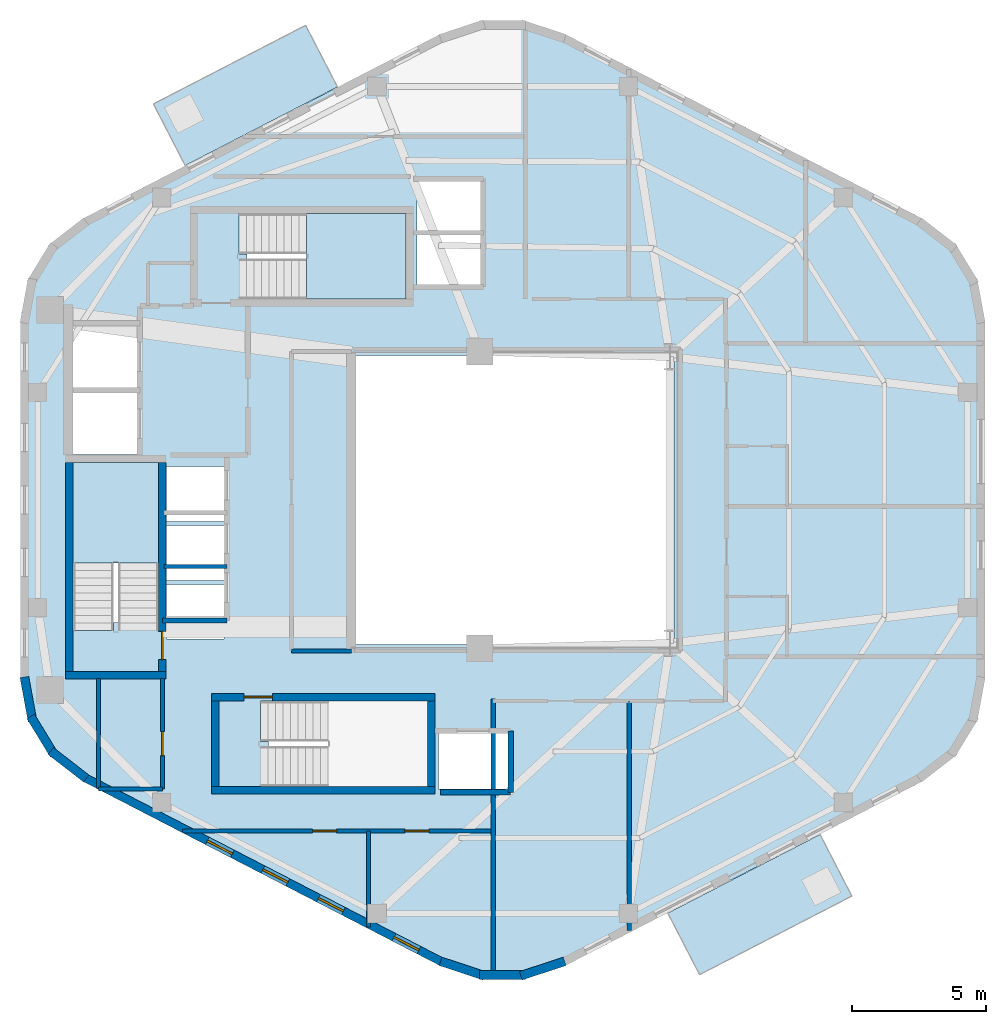
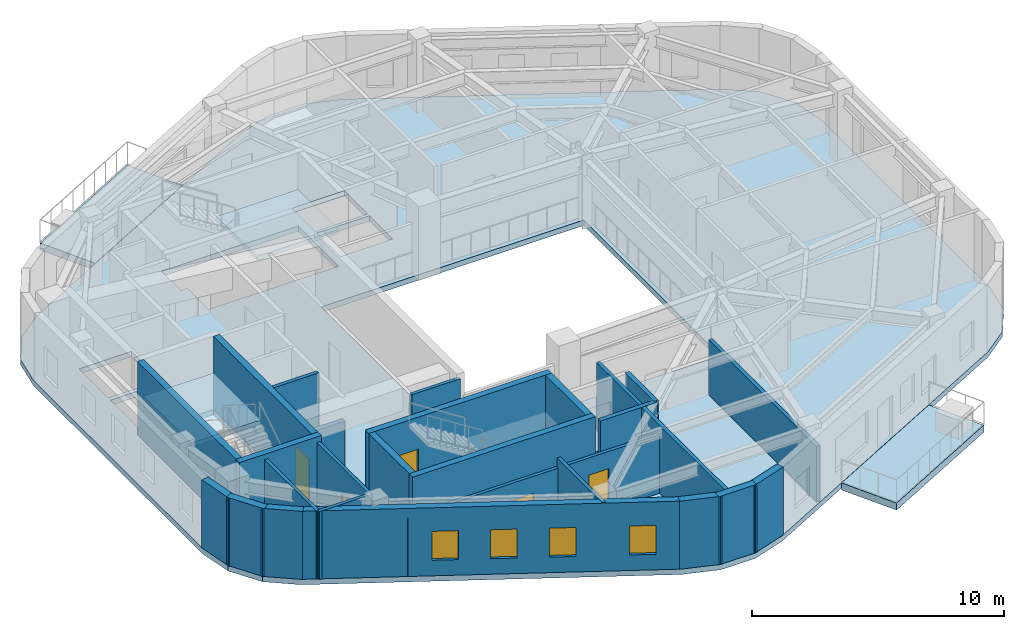
# One storey, part 2 of 7: 26 walls, 5 doors, 5 slabs, 4 windows, 9 openings, 2 elements without a shape of their own.
"""IFC4 building model written with IfcOpenShell, lengths in metres."""

from ifc_helpers import new_model, si_unit, direction, frame, frame_2d, origin, place, context, subcontext, project, spatial, polyline, rectangle, outline, extrude, material, layer, layer_set, type_object, element, fill, aggregate, save


model = new_model("IFC4")

# Units and contexts
model_context = context("Model", 3, precision=1e-05, world=origin(), true_north=direction((0.0, 1.0)))
body_context = subcontext(model_context, "Body", "Model", "MODEL_VIEW")
ifc_project = project(units=[si_unit("LENGTHUNIT", "METRE"), si_unit("AREAUNIT", "SQUARE_METRE"), si_unit("VOLUMEUNIT", "CUBIC_METRE"), si_unit("PLANEANGLEUNIT", "RADIAN"), si_unit("MASSUNIT", "GRAM", prefix="KILO"), si_unit("THERMODYNAMICTEMPERATUREUNIT", "KELVIN"), si_unit("POWERUNIT", "WATT")], contexts=[model_context])

# Site, building, storey
site_placement = place(None, origin())
site = spatial("IfcSite", under=ifc_project, at=site_placement, CompositionType="ELEMENT")
building_placement = place(site_placement, origin())
building = spatial("IfcBuilding", under=site, at=building_placement, Name="Skarre Station Tower", CompositionType="ELEMENT")
storey_placement = place(building_placement, frame((0.0, 0.0, 249.0)))
storey = spatial("IfcBuildingStorey", under=building, at=storey_placement, Name="L68", CompositionType="ELEMENT", Elevation=249.0)

# Slabs
ifc_material_1 = material(Name="Precast concrete C50/60", Category="concrete")
ifc_layer_1 = layer(ifc_material_1, 0.340087890625, Name="Precast concrete C50/60")
ifc_layer_set_1 = layer_set([ifc_layer_1], Name="Precast concrete C50/60")
slab_type_1 = type_object("IfcSlabType", Name="Planted Tree-Balcony Cantilever Slab 340", PredefinedType="FLOOR", material=ifc_layer_set_1)
slab_1_placement = place(storey_placement, frame((0.0, 0.0, -0.340087890625)))
element("IfcSlab", 1, at=slab_1_placement, inside=storey, type_object=slab_type_1, Name="L68 Planted Tree-Balcony Deck TB-L68-F1", PredefinedType="FLOOR", context=body_context, shape_type="SweptSolid", body=[
    extrude(outline(polyline([(27.031982421875, 39.427001953125), (21.344970703125, 36.490966796875), (20.156982421875, 38.7919921875), (25.843994140625, 41.72802734375), (27.031982421875, 39.427001953125)])), origin(), (0.0, 0.0, 1.0), 0.340087890625),
])
slab_2_placement = place(storey_placement, frame((0.0, 0.0, -0.340087890625)))
element("IfcSlab", 2, at=slab_2_placement, inside=storey, type_object=slab_type_1, Name="L68 Planted Tree-Balcony Deck TB-L68-F4", PredefinedType="FLOOR", context=body_context, shape_type="SweptSolid", body=[
    extrude(outline(polyline([(39.367919921875, 8.572998046875), (45.054931640625, 11.509033203125), (46.242919921875, 9.2080078125), (40.555908203125, 6.27197265625), (39.367919921875, 8.572998046875)])), origin(), (0.0, 0.0, 1.0), 0.340087890625),
])

# Stair, slab
ifc_material_2 = material(Name="Concrete C40/50", Category="concrete")
stair_type_1 = type_object("IfcStairType", Name="Reinforced Concrete Exit Stair ST-1", PredefinedType="HALF_TURN_STAIR", material=ifc_material_2)
stair_1_placement = place(storey_placement, origin())
stair_1 = element("IfcStair", 3, at=stair_1_placement, inside=storey, type_object=stair_type_1, Name="L68 Core Exit Stair ST-1", PredefinedType="HALF_TURN_STAIR")
ifc_layer_2 = layer(ifc_material_2, 0.219970703125, Name="Concrete C40/50")
ifc_layer_set_2 = layer_set([ifc_layer_2], Name="Concrete C40/50")
slab_type_2 = type_object("IfcSlabType", Name="Reinforced Concrete Stair & Ramp Landing 220", PredefinedType="LANDING", material=ifc_layer_set_2)
slab_3_placement = place(storey_placement, frame((0.0, 0.0, 1.574951171875)))
slab_3 = element("IfcSlab", 4, at=slab_3_placement, type_object=slab_type_2, Name="ST-1 landing 1", PredefinedType="LANDING", context=body_context, shape_type="SweptSolid", body=[
    extrude(outline(polyline([(20.35009765625, 21.639892578125), (20.35009765625, 25.39990234375), (17.14990234375, 25.39990234375), (17.14990234375, 21.639892578125), (20.35009765625, 21.639892578125)])), origin(), (0.0, 0.0, 1.0), 0.199951171875),
])
aggregate(stair_1, [slab_3])

stair_type_2 = type_object("IfcStairType", Name="Reinforced Concrete Exit Stair ST-3", PredefinedType="HALF_TURN_STAIR", material=ifc_material_2)
stair_2_placement = place(storey_placement, origin())
stair_2 = element("IfcStair", 5, at=stair_2_placement, inside=storey, type_object=stair_type_2, Name="L68 Core Exit Stair ST-3", PredefinedType="HALF_TURN_STAIR")
slab_4_placement = place(storey_placement, frame((0.0, 0.0, 1.574951171875)))
slab_4 = element("IfcSlab", 6, at=slab_4_placement, type_object=slab_type_2, Name="ST-3 landing 1", PredefinedType="LANDING", context=body_context, shape_type="SweptSolid", body=[
    extrude(outline(polyline([(25.8701171875, 31.5), (29.60009765625, 31.5), (29.60009765625, 34.699951171875), (25.8701171875, 34.699951171875), (25.8701171875, 31.5)])), origin(), (0.0, 0.0, 1.0), 0.199951171875),
])
aggregate(stair_2, [slab_4])

# Slab
ifc_material_3 = material(Name="Concrete C50/60", Category="concrete")
ifc_layer_3 = layer(ifc_material_3, 0.260009765625, Name="Concrete C50/60")
ifc_layer_set_3 = layer_set([ifc_layer_3], Name="Concrete C50/60")
slab_type_3 = type_object("IfcSlabType", Name="Tower Typical Composite Floor Slab 260", PredefinedType="FLOOR", material=ifc_layer_set_3)
slab_5_placement = place(storey_placement, frame((0.0, 0.0, -0.260009765625)))
element("IfcSlab", 7, at=slab_5_placement, inside=storey, type_object=slab_type_3, Name="L68 Zone 4 Structural Floor Slab", PredefinedType="FLOOR", context=body_context, shape_type="SweptSolid", body=[
    extrude(outline(polyline([(51.212890625, 30.701904296875), (50.93310546875, 32.222900390625), (50.1279296875, 33.544921875), (48.905029296875, 34.491943359375), (35.508056640625, 41.407958984375), (33.99609375, 41.906005859375), (32.404052734375, 41.906005859375), (30.89208984375, 41.407958984375), (17.4951171875, 34.491943359375), (16.27197265625, 33.544921875), (15.467041015625, 32.222900390625), (15.18701171875, 30.701904296875), (15.18701171875, 17.298095703125), (15.467041015625, 15.777099609375), (16.27197265625, 14.455078125), (17.4951171875, 13.508056640625), (30.89208984375, 6.592041015625), (32.404052734375, 6.093994140625), (33.99609375, 6.093994140625), (35.508056640625, 6.592041015625), (48.905029296875, 13.508056640625), (50.1279296875, 14.455078125), (50.93310546875, 15.777099609375), (51.212890625, 17.298095703125), (51.212890625, 30.701904296875)]), holes=[polyline([(18.669921875, 19.419921875), (18.669921875, 19.123046875), (17.14990234375, 19.123046875), (17.14990234375, 25.39990234375), (20.35009765625, 25.39990234375), (20.35009765625, 19.419921875), (18.669921875, 19.419921875)]), polyline([(24.449951171875, 14.97998046875), (24.153076171875, 14.97998046875), (24.153076171875, 16.5), (30.39990234375, 16.5), (30.39990234375, 13.300048828125), (24.449951171875, 13.300048828125), (24.449951171875, 14.97998046875)]), polyline([(23.64990234375, 33.179931640625), (23.35302734375, 33.179931640625), (23.35302734375, 34.699951171875), (29.60009765625, 34.699951171875), (29.60009765625, 31.5), (23.64990234375, 31.5), (23.64990234375, 33.179931640625)]), polyline([(17.14990234375, 28.0), (19.550048828125, 28.0), (19.550048828125, 25.699951171875), (17.14990234375, 25.699951171875), (17.14990234375, 28.0)]), polyline([(17.14990234375, 30.5), (19.550048828125, 30.5), (19.550048828125, 28.199951171875), (17.14990234375, 28.199951171875), (17.14990234375, 30.5)]), polyline([(30.800048828125, 15.300048828125), (33.39990234375, 15.300048828125), (33.39990234375, 13.199951171875), (30.800048828125, 13.199951171875), (30.800048828125, 15.300048828125)]), polyline([(20.64990234375, 20.85009765625), (22.800048828125, 20.85009765625), (22.800048828125, 18.800048828125), (20.64990234375, 18.800048828125), (20.64990234375, 20.85009765625)]), polyline([(20.64990234375, 23.050048828125), (22.800048828125, 23.050048828125), (22.800048828125, 21.0), (20.64990234375, 21.0), (20.64990234375, 23.050048828125)]), polyline([(20.64990234375, 25.25), (22.800048828125, 25.25), (22.800048828125, 23.199951171875), (20.64990234375, 23.199951171875), (20.64990234375, 25.25)]), polyline([(30.0, 33.89990234375), (32.39990234375, 33.89990234375), (32.39990234375, 32.050048828125), (30.0, 32.050048828125), (30.0, 33.89990234375)]), polyline([(30.0, 35.89990234375), (32.39990234375, 35.89990234375), (32.39990234375, 34.050048828125), (30.0, 34.050048828125), (30.0, 35.89990234375)]), polyline([(27.60009765625, 29.39990234375), (39.60009765625, 29.39990234375), (39.60009765625, 18.60009765625), (27.60009765625, 18.60009765625), (27.60009765625, 29.39990234375)])]), origin(), (0.0, 0.0, 1.0), 0.260009765625),
])

# Walls
ifc_material_4 = material(Name="Acoustic Steel-Stud Gypsum Partition", Category="steel")
ifc_layer_4 = layer(ifc_material_4, 0.14990234375, Name="Acoustic Steel-Stud Gypsum Partition")
ifc_layer_set_4 = layer_set([ifc_layer_4], Name="Acoustic Steel-Stud Gypsum Partition")
wall_type_1 = type_object("IfcWallType", Name="Fire-Rated Corridor Acoustic Partition 150", PredefinedType="PARTITIONING", material=ifc_layer_set_4)
wall_1_placement = place(storey_placement, frame((25.320068359375, 18.360107421875, 0.0), z_axis=(0.0, 0.0, 1.0), x_axis=(1.0, 0.0, 0.0)))
element("IfcWall", 8, at=wall_1_placement, inside=storey, type_object=wall_type_1, Name="L68 Interior Partition WL-PT-L68-RC2-S", PredefinedType="PARTITIONING", context=body_context, shape_type="SweptSolid", body=[
    extrude(rectangle(XDim=2.22998046875, YDim=0.14990234375, at=frame_2d((1.114990234375, 0.0))), origin(), (0.0, 0.0, 1.0), 3.2900390625),
])
wall_2_placement = place(storey_placement, frame((18.10009765625, 17.340087890625, 0.0), z_axis=(0.0, 0.0, 1.0), x_axis=(0.0, -1.0, 0.0)))
element("IfcWall", 9, at=wall_2_placement, inside=storey, type_object=wall_type_1, Name="L68 Interior Partition WL-PT-L68-CSVC-W", PredefinedType="PARTITIONING", context=body_context, shape_type="SweptSolid", body=[
    extrude(rectangle(XDim=4.133056640625, YDim=0.14990234375, at=frame_2d((2.06640625, 0.0))), origin(), (0.0, 0.0, 1.0), 3.2900390625),
])
wall_3_placement = place(storey_placement, frame((18.113037109375, 13.199951171875, 0.0), z_axis=(0.0, 0.0, 1.0), x_axis=(1.0, 0.0, 0.0)))
element("IfcWall", 10, at=wall_3_placement, inside=storey, type_object=wall_type_1, Name="L68 Interior Partition WL-PT-L68-CSVC-S", PredefinedType="PARTITIONING", context=body_context, shape_type="SweptSolid", body=[
    extrude(rectangle(XDim=2.376953125, YDim=0.14990234375, at=frame_2d((1.1884765625, 0.0))), origin(), (0.0, 0.0, 1.0), 3.2900390625),
])

# Wall, opening, door
wall_4_placement = place(storey_placement, frame((20.489990234375, 13.199951171875, 0.0), z_axis=(0.0, 0.0, 1.0), x_axis=(0.0, 1.0, 0.0)))
wall_4 = element("IfcWall", 11, at=wall_4_placement, inside=storey, type_object=wall_type_1, Name="L68 Interior Partition WL-PT-L68-CSVC-E", PredefinedType="PARTITIONING", context=body_context, shape_type="SweptSolid", body=[
    extrude(rectangle(XDim=4.14013671875, YDim=0.14990234375, at=frame_2d((2.070068359375, 0.0))), origin(), (0.0, 0.0, 1.0), 3.2900390625),
])
opening_1_placement = place(wall_4_placement, frame((1.25, 0.0, 0.0)))
opening_1 = element("IfcOpeningElement", 12, at=opening_1_placement, cuts=wall_4, Name="Opening DR-SVC90", PredefinedType="OPENING", context=body_context, shape_type="SweptSolid", body=[
    extrude(rectangle(XDim=0.89990234375, YDim=2.0, at=frame_2d((0.449951171875, 1.0))), frame((0.0, 0.0849609375, 0.0), z_axis=(0.0, -1.0, 0.0), x_axis=(1.0, 0.0, 0.0)), (0.0, 0.0, 1.0), 0.169921875),
])
ifc_material_5 = material(Name="Powder-Coated Hollow-Metal Acoustic Fire Leaf", Category="steel")
door_type_1 = type_object("IfcDoorType", Name="Service & Riser Fire Door FD60 900x2100", OperationType="SINGLE_SWING_LEFT", PredefinedType="DOOR", material=ifc_material_5)
door_1_placement = place(opening_1_placement, origin())
door_1 = element("IfcDoor", 13, at=door_1_placement, inside=storey, type_object=door_type_1, Name="L68 Core Pantry Door", OperationType="SINGLE_SWING_LEFT", OverallHeight=2.0, OverallWidth=0.89990234375, PredefinedType="DOOR", context=body_context, shape_type="SweptSolid", body=[
    extrude(rectangle(XDim=0.89990234375, YDim=2.0, at=frame_2d((0.449951171875, 1.0))), frame((0.0, 0.02490234375, 0.0), z_axis=(0.0, -1.0, 0.0), x_axis=(1.0, 0.0, 0.0)), (0.0, 0.0, 1.0), 0.050048828125),
])
fill(opening_1, door_1)

# Wall
wall_5_placement = place(storey_placement, frame((28.199951171875, 8.049072265625, 0.0), z_axis=(0.0, 0.0, 1.0), x_axis=(0.0, 1.0, 0.0)))
element("IfcWall", 14, at=wall_5_placement, inside=storey, type_object=wall_type_1, Name="L68 Interior Partition WL-PT-L68-SWP-M", PredefinedType="PARTITIONING", context=body_context, shape_type="SweptSolid", body=[
    extrude(rectangle(XDim=3.5908203125, YDim=0.14990234375, at=frame_2d((1.79541015625, 0.0))), origin(), (0.0, 0.0, 1.0), 3.2900390625),
])

# Wall, openings, doors
wall_6_placement = place(storey_placement, frame((21.243896484375, 11.639892578125, 0.0), z_axis=(0.0, 0.0, 1.0), x_axis=(1.0, 0.0, 0.0)))
wall_6 = element("IfcWall", 15, at=wall_6_placement, inside=storey, type_object=wall_type_1, Name="L68 Interior Partition WL-PT-L68-SWP-N", PredefinedType="PARTITIONING", context=body_context, shape_type="SweptSolid", body=[
    extrude(rectangle(XDim=11.606201171875, YDim=0.14990234375, at=frame_2d((5.80322265625, 0.0))), origin(), (0.0, 0.0, 1.0), 2.8330078125),
])
opening_2_placement = place(wall_6_placement, frame((4.85595703125, 0.0, 0.0)))
opening_2 = element("IfcOpeningElement", 16, at=opening_2_placement, cuts=wall_6, Name="Opening DR-SVC90", PredefinedType="OPENING", context=body_context, shape_type="SweptSolid", body=[
    extrude(rectangle(XDim=0.89990234375, YDim=2.0, at=frame_2d((0.449951171875, 1.0))), frame((0.0, 0.0849609375, 0.0), z_axis=(0.0, -1.0, 0.0), x_axis=(1.0, 0.0, 0.0)), (0.0, 0.0, 1.0), 0.169921875),
])
opening_3_placement = place(wall_6_placement, frame((8.305908203125, 0.0, 0.0)))
opening_3 = element("IfcOpeningElement", 17, at=opening_3_placement, cuts=wall_6, Name="Opening DR-SVC90", PredefinedType="OPENING", context=body_context, shape_type="SweptSolid", body=[
    extrude(rectangle(XDim=0.89990234375, YDim=2.0, at=frame_2d((0.449951171875, 1.0))), frame((0.0, 0.0849609375, 0.0), z_axis=(0.0, -1.0, 0.0), x_axis=(1.0, 0.0, 0.0)), (0.0, 0.0, 1.0), 0.169921875),
])
door_2_placement = place(opening_2_placement, origin())
door_2 = element("IfcDoor", 18, at=door_2_placement, inside=storey, type_object=door_type_1, Name="L68 Floor Public Toilets Door", OperationType="SINGLE_SWING_LEFT", OverallHeight=2.0, OverallWidth=0.89990234375, PredefinedType="DOOR", context=body_context, shape_type="SweptSolid", body=[
    extrude(rectangle(XDim=0.89990234375, YDim=2.0, at=frame_2d((0.449951171875, 1.0))), frame((0.0, 0.02490234375, 0.0), z_axis=(0.0, -1.0, 0.0), x_axis=(1.0, 0.0, 0.0)), (0.0, 0.0, 1.0), 0.050048828125),
])
fill(opening_2, door_2)
door_3_placement = place(opening_3_placement, origin())
door_3 = element("IfcDoor", 19, at=door_3_placement, inside=storey, type_object=door_type_1, Name="L68 South-West Study Door", OperationType="SINGLE_SWING_LEFT", OverallHeight=2.0, OverallWidth=0.89990234375, PredefinedType="DOOR", context=body_context, shape_type="SweptSolid", body=[
    extrude(rectangle(XDim=0.89990234375, YDim=2.0, at=frame_2d((0.449951171875, 1.0))), frame((0.0, 0.02490234375, 0.0), z_axis=(0.0, -1.0, 0.0), x_axis=(1.0, 0.0, 0.0)), (0.0, 0.0, 1.0), 0.050048828125),
])
fill(opening_3, door_3)

# Walls
ifc_material_6 = material(Name="Precast concrete C45/55", Category="concrete")
ifc_layer_5 = layer(ifc_material_6, 0.330078125, Name="Precast concrete C45/55")
ifc_layer_set_5 = layer_set([ifc_layer_5], Name="Precast concrete C45/55")
wall_type_2 = type_object("IfcWallType", Name="Nordic Rounded Corner Precast Wall 330", PredefinedType="STANDARD", material=ifc_layer_set_5)
wall_7_placement = place(storey_placement, frame((17.64697265625, 13.59912109375, 0.0), z_axis=(0.0, 0.0, 1.0), x_axis=(-0.790691856293, 0.61221433207, 0.0)))
element("IfcWall", 20, at=wall_7_placement, inside=storey, type_object=wall_type_2, Name="L68 Rounded Corner Precast Wall F3-1", PredefinedType="STANDARD", context=body_context, shape_type="SweptSolid", body=[
    extrude(rectangle(XDim=1.67578125, YDim=0.330078125, at=frame_2d((0.837890625, 0.0))), origin(), (0.0, 0.0, 1.0), 3.2900390625),
])
wall_8_placement = place(storey_placement, frame((16.447021484375, 14.485107421875, 0.0), z_axis=(0.0, 0.0, 1.0), x_axis=(-0.520325409202, 0.853968072318, 0.0)))
element("IfcWall", 21, at=wall_8_placement, inside=storey, type_object=wall_type_2, Name="L68 Rounded Corner Precast Wall F3-2", PredefinedType="STANDARD", context=body_context, shape_type="SweptSolid", body=[
    extrude(rectangle(XDim=1.677978515625, YDim=0.330078125, at=frame_2d((0.8388671875, 0.0))), origin(), (0.0, 0.0, 1.0), 3.2900390625),
])
wall_9_placement = place(storey_placement, frame((15.64111328125, 15.742919921875, 0.0), z_axis=(0.0, 0.0, 1.0), x_axis=(-0.180832605401, 0.983513888475, 0.0)))
element("IfcWall", 22, at=wall_9_placement, inside=storey, type_object=wall_type_2, Name="L68 Rounded Corner Precast Wall F3-3", PredefinedType="STANDARD", context=body_context, shape_type="SweptSolid", body=[
    extrude(rectangle(XDim=1.6767578125, YDim=0.330078125, at=frame_2d((0.83837890625, 0.0))), origin(), (0.0, 0.0, 1.0), 3.2900390625),
])
wall_10_placement = place(storey_placement, frame((35.51806640625, 6.76904296875, 0.0), z_axis=(0.0, 0.0, 1.0), x_axis=(-0.949713440491, -0.313120393699, 0.0)))
element("IfcWall", 23, at=wall_10_placement, inside=storey, type_object=wall_type_2, Name="L68 Rounded Corner Precast Wall F4-1", PredefinedType="STANDARD", context=body_context, shape_type="SweptSolid", body=[
    extrude(rectangle(XDim=1.7216796875, YDim=0.330078125, at=frame_2d((0.86083984375, 0.0))), origin(), (0.0, 0.0, 1.0), 3.2900390625),
])
wall_11_placement = place(storey_placement, frame((34.06103515625, 6.259033203125, 0.0), z_axis=(0.0, 0.0, 1.0), x_axis=(-1.0, 0.0, 0.0)))
element("IfcWall", 24, at=wall_11_placement, inside=storey, type_object=wall_type_2, Name="L68 Rounded Corner Precast Wall F4-2", PredefinedType="STANDARD", context=body_context, shape_type="SweptSolid", body=[
    extrude(rectangle(XDim=1.721923828125, YDim=0.330078125, at=frame_2d((0.86083984375, 0.0))), origin(), (0.0, 0.0, 1.0), 3.2900390625),
])
wall_12_placement = place(storey_placement, frame((32.51708984375, 6.22998046875, 0.0), z_axis=(0.0, 0.0, 1.0), x_axis=(-0.949713440491, 0.313120393699, 0.0)))
element("IfcWall", 25, at=wall_12_placement, inside=storey, type_object=wall_type_2, Name="L68 Rounded Corner Precast Wall F4-3", PredefinedType="STANDARD", context=body_context, shape_type="SweptSolid", body=[
    extrude(rectangle(XDim=1.7216796875, YDim=0.330078125, at=frame_2d((0.86083984375, 0.0))), origin(), (0.0, 0.0, 1.0), 3.2900390625),
])

# Wall, openings, windows
ifc_layer_6 = layer(ifc_material_6, 0.31005859375, Name="Precast concrete C45/55")
ifc_layer_set_6 = layer_set([ifc_layer_6], Name="Precast concrete C45/55")
wall_type_3 = type_object("IfcWallType", Name="Nordic Upper-Zone Precast Facet Wall 310", PredefinedType="STANDARD", material=ifc_layer_set_6)
wall_13_placement = place(storey_placement, frame((30.962890625, 6.72998046875, 0.0), z_axis=(0.0, 0.0, 1.0), x_axis=(-0.888581481622, 0.458718814218, 0.0)))
wall_13 = element("IfcWall", 26, at=wall_13_placement, inside=storey, type_object=wall_type_3, Name="L68 Facet 3 Nordic Precast Masonry Wall", PredefinedType="STANDARD", context=body_context, shape_type="SweptSolid", body=[
    extrude(rectangle(XDim=15.076904296875, YDim=0.31005859375, at=frame_2d((7.53857421875, 0.0))), origin(), (0.0, 0.0, 1.0), 3.2900390625),
])
opening_4_placement = place(wall_13_placement, frame((0.998046875, 0.0, 0.75)))
opening_4 = element("IfcOpeningElement", 27, at=opening_4_placement, cuts=wall_13, Name="Opening WN-SLT", PredefinedType="OPENING", context=body_context, shape_type="SweptSolid", body=[
    extrude(rectangle(XDim=1.050048828125, YDim=1.39990234375, at=frame_2d((0.52490234375, 0.699951171875))), frame((0.0, 0.1650390625, 0.0), z_axis=(0.0, -1.0, 0.0), x_axis=(1.0, 0.0, 0.0)), (0.0, 0.0, 1.0), 0.330078125),
])
opening_5_placement = place(wall_13_placement, frame((4.176025390625, 0.0, 0.75)))
opening_5 = element("IfcOpeningElement", 28, at=opening_5_placement, cuts=wall_13, Name="Opening WN-SLT", PredefinedType="OPENING", context=body_context, shape_type="SweptSolid", body=[
    extrude(rectangle(XDim=1.050048828125, YDim=1.39990234375, at=frame_2d((0.52490234375, 0.699951171875))), frame((0.0, 0.1650390625, 0.0), z_axis=(0.0, -1.0, 0.0), x_axis=(1.0, 0.0, 0.0)), (0.0, 0.0, 1.0), 0.330078125),
])
opening_6_placement = place(wall_13_placement, frame((6.509033203125, 0.0, 0.75)))
opening_6 = element("IfcOpeningElement", 29, at=opening_6_placement, cuts=wall_13, Name="Opening WN-SLT", PredefinedType="OPENING", context=body_context, shape_type="SweptSolid", body=[
    extrude(rectangle(XDim=1.050048828125, YDim=1.39990234375, at=frame_2d((0.52490234375, 0.699951171875))), frame((0.0, 0.1650390625, 0.0), z_axis=(0.0, -1.0, 0.0), x_axis=(1.0, 0.0, 0.0)), (0.0, 0.0, 1.0), 0.330078125),
])
opening_7_placement = place(wall_13_placement, frame((8.842041015625, 0.0, 0.75)))
opening_7 = element("IfcOpeningElement", 30, at=opening_7_placement, cuts=wall_13, Name="Opening WN-SLT", PredefinedType="OPENING", context=body_context, shape_type="SweptSolid", body=[
    extrude(rectangle(XDim=1.050048828125, YDim=1.39990234375, at=frame_2d((0.52490234375, 0.699951171875))), frame((0.0, 0.1650390625, 0.0), z_axis=(0.0, -1.0, 0.0), x_axis=(1.0, 0.0, 0.0)), (0.0, 0.0, 1.0), 0.330078125),
])
ifc_material_7 = material(Name="Low-Iron Triple Glazing with Bronze Anodized Frame", Category="glass")
window_type = type_object("IfcWindowType", Name="Nordic Corner Slot Window 1050x1400", PartitioningType="SINGLE_PANEL", PredefinedType="WINDOW", material=ifc_material_7)
window_1_placement = place(opening_4_placement, origin())
window_1 = element("IfcWindow", 31, at=window_1_placement, inside=storey, type_object=window_type, Name="L68 Facade Window WL-FAC-L68-F3-1", OverallHeight=1.39990234375, OverallWidth=1.050048828125, PartitioningType="SINGLE_PANEL", PredefinedType="WINDOW", context=body_context, shape_type="SweptSolid", body=[
    extrude(rectangle(XDim=1.050048828125, YDim=1.39990234375, at=frame_2d((0.52490234375, 0.699951171875))), frame((0.0, 0.030029296875, 0.0), z_axis=(0.0, -1.0, 0.0), x_axis=(1.0, 0.0, 0.0)), (0.0, 0.0, 1.0), 0.06005859375),
])
fill(opening_4, window_1)
window_2_placement = place(opening_5_placement, origin())
window_2 = element("IfcWindow", 32, at=window_2_placement, inside=storey, type_object=window_type, Name="L68 Facade Window WL-FAC-L68-F3-2", OverallHeight=1.39990234375, OverallWidth=1.050048828125, PartitioningType="SINGLE_PANEL", PredefinedType="WINDOW", context=body_context, shape_type="SweptSolid", body=[
    extrude(rectangle(XDim=1.050048828125, YDim=1.39990234375, at=frame_2d((0.52490234375, 0.699951171875))), frame((0.0, 0.030029296875, 0.0), z_axis=(0.0, -1.0, 0.0), x_axis=(1.0, 0.0, 0.0)), (0.0, 0.0, 1.0), 0.06005859375),
])
fill(opening_5, window_2)
window_3_placement = place(opening_6_placement, origin())
window_3 = element("IfcWindow", 33, at=window_3_placement, inside=storey, type_object=window_type, Name="L68 Facade Window WL-FAC-L68-F3-3", OverallHeight=1.39990234375, OverallWidth=1.050048828125, PartitioningType="SINGLE_PANEL", PredefinedType="WINDOW", context=body_context, shape_type="SweptSolid", body=[
    extrude(rectangle(XDim=1.050048828125, YDim=1.39990234375, at=frame_2d((0.52490234375, 0.699951171875))), frame((0.0, 0.030029296875, 0.0), z_axis=(0.0, -1.0, 0.0), x_axis=(1.0, 0.0, 0.0)), (0.0, 0.0, 1.0), 0.06005859375),
])
fill(opening_6, window_3)
window_4_placement = place(opening_7_placement, origin())
window_4 = element("IfcWindow", 34, at=window_4_placement, inside=storey, type_object=window_type, Name="L68 Facade Window WL-FAC-L68-F3-4", OverallHeight=1.39990234375, OverallWidth=1.050048828125, PartitioningType="SINGLE_PANEL", PredefinedType="WINDOW", context=body_context, shape_type="SweptSolid", body=[
    extrude(rectangle(XDim=1.050048828125, YDim=1.39990234375, at=frame_2d((0.52490234375, 0.699951171875))), frame((0.0, 0.030029296875, 0.0), z_axis=(0.0, -1.0, 0.0), x_axis=(1.0, 0.0, 0.0)), (0.0, 0.0, 1.0), 0.06005859375),
])
fill(opening_7, window_4)

# Walls
ifc_layer_7 = layer(ifc_material_3, 0.280029296875, Name="Concrete C50/60")
ifc_layer_set_7 = layer_set([ifc_layer_7], Name="Concrete C50/60")
wall_type_4 = type_object("IfcWallType", Name="RC Core Shear Wall 280", PredefinedType="SHEAR", material=ifc_layer_set_7)
wall_14_placement = place(storey_placement, frame((16.8701171875, 17.4599609375, 0.0), z_axis=(0.0, 0.0, 1.0), x_axis=(1.0, 0.0, 0.0)))
element("IfcWall", 35, at=wall_14_placement, inside=storey, type_object=wall_type_4, Name="L68 Stair ST-1 South Shear Wall", PredefinedType="SHEAR", context=body_context, shape_type="SweptSolid", body=[
    extrude(rectangle(XDim=3.759765625, YDim=0.280029296875, at=frame_2d((1.8798828125, 0.0))), origin(), (0.0, 0.0, 1.0), 3.550048828125),
])
wall_15_placement = place(storey_placement, frame((17.010009765625, 25.39990234375, 0.0), z_axis=(0.0, 0.0, 1.0), x_axis=(0.0, -1.0, 0.0)))
element("IfcWall", 36, at=wall_15_placement, inside=storey, type_object=wall_type_4, Name="L68 Stair ST-1 West Shear Wall", PredefinedType="SHEAR", context=body_context, shape_type="SweptSolid", body=[
    extrude(rectangle(XDim=7.7998046875, YDim=0.280029296875, at=frame_2d((3.89990234375, 0.0))), origin(), (0.0, 0.0, 1.0), 3.550048828125),
])

# Wall, opening, door
wall_16_placement = place(storey_placement, frame((20.489990234375, 17.60009765625, 0.0), z_axis=(0.0, 0.0, 1.0), x_axis=(0.0, 1.0, 0.0)))
wall_16 = element("IfcWall", 37, at=wall_16_placement, inside=storey, type_object=wall_type_4, Name="L68 Stair ST-1 East Shear Wall", PredefinedType="SHEAR", context=body_context, shape_type="SweptSolid", body=[
    extrude(rectangle(XDim=7.7998046875, YDim=0.280029296875, at=frame_2d((3.89990234375, 0.0))), origin(), (0.0, 0.0, 1.0), 3.550048828125),
])
opening_8_placement = place(wall_16_placement, frame((0.43994140625, 0.0, 0.0)))
opening_8 = element("IfcOpeningElement", 38, at=opening_8_placement, cuts=wall_16, Name="Opening DR-FD90", PredefinedType="OPENING", context=body_context, shape_type="SweptSolid", body=[
    extrude(rectangle(XDim=1.050048828125, YDim=2.0, at=frame_2d((0.52490234375, 1.0))), frame((0.0, 0.14990234375, 0.0), z_axis=(0.0, -1.0, 0.0), x_axis=(1.0, 0.0, 0.0)), (0.0, 0.0, 1.0), 0.300048828125),
])
ifc_material_8 = material(Name="Fire-Rated Insulated Steel Frame & Timber Core Leaf", Category="steel")
door_type_2 = type_object("IfcDoorType", Name="Stair & FSAE Lobby Fire Door FD90 1050x2150", OperationType="SINGLE_SWING_RIGHT", PredefinedType="DOOR", material=ifc_material_8)
door_4_placement = place(opening_8_placement, origin())
door_4 = element("IfcDoor", 39, at=door_4_placement, inside=storey, type_object=door_type_2, Name="L68 Stair ST-1 Exit Door", OperationType="SINGLE_SWING_RIGHT", OverallHeight=2.0, OverallWidth=1.050048828125, PredefinedType="DOOR", context=body_context, shape_type="SweptSolid", body=[
    extrude(rectangle(XDim=1.050048828125, YDim=2.0, at=frame_2d((0.52490234375, 1.0))), frame((0.0, 0.02490234375, 0.0), z_axis=(0.0, -1.0, 0.0), x_axis=(1.0, 0.0, 0.0)), (0.0, 0.0, 1.0), 0.050048828125),
])
fill(opening_8, door_4)

# Wall
wall_17_placement = place(storey_placement, frame((22.320068359375, 13.159912109375, 0.0), z_axis=(0.0, 0.0, 1.0), x_axis=(1.0, 0.0, 0.0)))
element("IfcWall", 40, at=wall_17_placement, inside=storey, type_object=wall_type_4, Name="L68 Stair ST-2 South Shear Wall", PredefinedType="SHEAR", context=body_context, shape_type="SweptSolid", body=[
    extrude(rectangle(XDim=8.35986328125, YDim=0.280029296875, at=frame_2d((4.179931640625, 0.0))), origin(), (0.0, 0.0, 1.0), 3.550048828125),
])

# Wall, opening, door
wall_18_placement = place(storey_placement, frame((30.679931640625, 16.639892578125, 0.0), z_axis=(0.0, 0.0, 1.0), x_axis=(-1.0, 0.0, 0.0)))
wall_18 = element("IfcWall", 41, at=wall_18_placement, inside=storey, type_object=wall_type_4, Name="L68 Stair ST-2 North Shear Wall", PredefinedType="SHEAR", context=body_context, shape_type="SweptSolid", body=[
    extrude(rectangle(XDim=8.35986328125, YDim=0.280029296875, at=frame_2d((4.179931640625, 0.0))), origin(), (0.0, 0.0, 1.0), 3.550048828125),
])
opening_9_placement = place(wall_18_placement, frame((6.080078125, 0.0, 0.0)))
opening_9 = element("IfcOpeningElement", 42, at=opening_9_placement, cuts=wall_18, Name="Opening DR-FD90", PredefinedType="OPENING", context=body_context, shape_type="SweptSolid", body=[
    extrude(rectangle(XDim=1.050048828125, YDim=2.0, at=frame_2d((0.52490234375, 1.0))), frame((0.0, 0.14990234375, 0.0), z_axis=(0.0, -1.0, 0.0), x_axis=(1.0, 0.0, 0.0)), (0.0, 0.0, 1.0), 0.300048828125),
])
door_5_placement = place(opening_9_placement, origin())
door_5 = element("IfcDoor", 43, at=door_5_placement, inside=storey, type_object=door_type_2, Name="L68 Stair ST-2 Exit Door", OperationType="SINGLE_SWING_RIGHT", OverallHeight=2.0, OverallWidth=1.050048828125, PredefinedType="DOOR", context=body_context, shape_type="SweptSolid", body=[
    extrude(rectangle(XDim=1.050048828125, YDim=2.0, at=frame_2d((0.52490234375, 1.0))), frame((0.0, 0.02490234375, 0.0), z_axis=(0.0, -1.0, 0.0), x_axis=(1.0, 0.0, 0.0)), (0.0, 0.0, 1.0), 0.050048828125),
])
fill(opening_9, door_5)

# Walls
for number, where, z_axis, x_axis, name in (
    (44, (22.4599609375, 16.5, 0.0), (0.0, 0.0, 1.0), (0.0, -1.0, 0.0), "L68 Stair ST-2 West Shear Wall"),
    (45, (30.5400390625, 13.300048828125, 0.0), (0.0, 0.0, 1.0), (0.0, 1.0, 0.0), "L68 Stair ST-2 East Shear Wall"),
):
    element("IfcWall", number, at=place(storey_placement, frame(where, z_axis=z_axis, x_axis=x_axis)), inside=storey, type_object=wall_type_4, Name=name, PredefinedType="SHEAR", context=body_context, shape_type="SweptSolid", body=[
        extrude(rectangle(XDim=3.199951171875, YDim=0.280029296875, at=frame_2d((1.60009765625, 0.0))), origin(), (0.0, 0.0, 1.0), 3.550048828125),
    ])
ifc_material_9 = material(Name="Gypsum Concrete Shaft Assembly C30/37", Category="concrete")
ifc_layer_8 = layer(ifc_material_9, 0.199951171875, Name="Gypsum Concrete Shaft Assembly C30/37")
ifc_layer_set_8 = layer_set([ifc_layer_8], Name="Gypsum Concrete Shaft Assembly C30/37")
wall_type_5 = type_object("IfcWallType", Name="Shaft & Core Fire Partition 200", PredefinedType="PARTITIONING", material=ifc_layer_set_8)
wall_19_placement = place(storey_placement, frame((33.5, 13.080078125, 0.0), z_axis=(0.0, 0.0, 1.0), x_axis=(0.0, 1.0, 0.0)))
element("IfcWall", 46, at=wall_19_placement, inside=storey, type_object=wall_type_5, Name="L68 Interior Partition WL-PT-L68-SV1-E", PredefinedType="PARTITIONING", context=body_context, shape_type="SweptSolid", body=[
    extrude(rectangle(XDim=2.2998046875, YDim=0.199951171875, at=frame_2d((1.14990234375, 0.0))), origin(), (0.0, 0.0, 1.0), 3.2900390625),
])
wall_20_placement = place(storey_placement, frame((30.87890625, 13.080078125, 0.0), z_axis=(0.0, 0.0, 1.0), x_axis=(1.0, 0.0, 0.0)))
element("IfcWall", 47, at=wall_20_placement, inside=storey, type_object=wall_type_5, Name="L68 Interior Partition WL-PT-L68-SV1-S", PredefinedType="PARTITIONING", context=body_context, shape_type="SweptSolid", body=[
    extrude(rectangle(XDim=2.62109375, YDim=0.199951171875, at=frame_2d((1.310546875, 0.0))), origin(), (0.0, 0.0, 1.0), 3.2900390625),
])
wall_21_placement = place(storey_placement, frame((20.489990234375, 19.5, 0.0), z_axis=(0.0, 0.0, 1.0), x_axis=(1.0, 0.0, 0.0)))
element("IfcWall", 48, at=wall_21_placement, inside=storey, type_object=wall_type_5, Name="L68 Interior Partition WL-PT-L68-B3-S", PredefinedType="PARTITIONING", context=body_context, shape_type="SweptSolid", body=[
    extrude(rectangle(XDim=2.409912109375, YDim=0.199951171875, at=frame_2d((1.205078125, 0.0))), origin(), (0.0, 0.0, 1.0), 2.18994140625),
])
wall_22_placement = place(storey_placement, frame((20.550048828125, 21.52001953125, 0.0), z_axis=(0.0, 0.0, 1.0), x_axis=(1.0, 0.0, 0.0)))
element("IfcWall", 49, at=wall_22_placement, inside=storey, type_object=wall_type_5, Name="L68 Interior Partition WL-PT-L68-B3-D1", PredefinedType="PARTITIONING", context=body_context, shape_type="SweptSolid", body=[
    extrude(rectangle(XDim=2.349853515625, YDim=0.159912109375, at=frame_2d((1.1748046875, 0.0))), origin(), (0.0, 0.0, 1.0), 3.2900390625),
])
ifc_layer_9 = layer(ifc_material_4, 0.1650390625, Name="Acoustic Steel-Stud Gypsum Partition")
ifc_layer_set_9 = layer_set([ifc_layer_9], Name="Acoustic Steel-Stud Gypsum Partition")
wall_type_6 = type_object("IfcWallType", Name="Suite Demising Acoustic Partition 165", PredefinedType="PARTITIONING", material=ifc_layer_set_9)
wall_23_placement = place(storey_placement, frame((32.85009765625, 6.154052734375, 0.0), z_axis=(0.0, 0.0, 1.0), x_axis=(0.0, 1.0, 0.0)))
element("IfcWall", 50, at=wall_23_placement, inside=storey, type_object=wall_type_6, Name="L68 Interior Partition WL-PT-L68-SWP-E", PredefinedType="PARTITIONING", context=body_context, shape_type="SweptSolid", body=[
    extrude(rectangle(XDim=10.416015625, YDim=0.1650390625, at=frame_2d((5.2080078125, 0.0))), origin(), (0.0, 0.0, 1.0), 3.2900390625),
])
wall_24_placement = place(storey_placement, frame((37.928955078125, 7.9208984375, 0.0), z_axis=(0.0, 0.0, 1.0), x_axis=(0.0, 1.0, 0.0)))
element("IfcWall", 51, at=wall_24_placement, inside=storey, type_object=wall_type_6, Name="L68 Interior Partition WL-PT-L68-SW-P1", PredefinedType="PARTITIONING", context=body_context, shape_type="SweptSolid", body=[
    extrude(rectangle(XDim=8.549072265625, YDim=0.1650390625, at=frame_2d((4.2744140625, 0.0))), origin(), (0.0, 0.0, 1.0), 2.678955078125),
])

save(model, "model.ifc")
